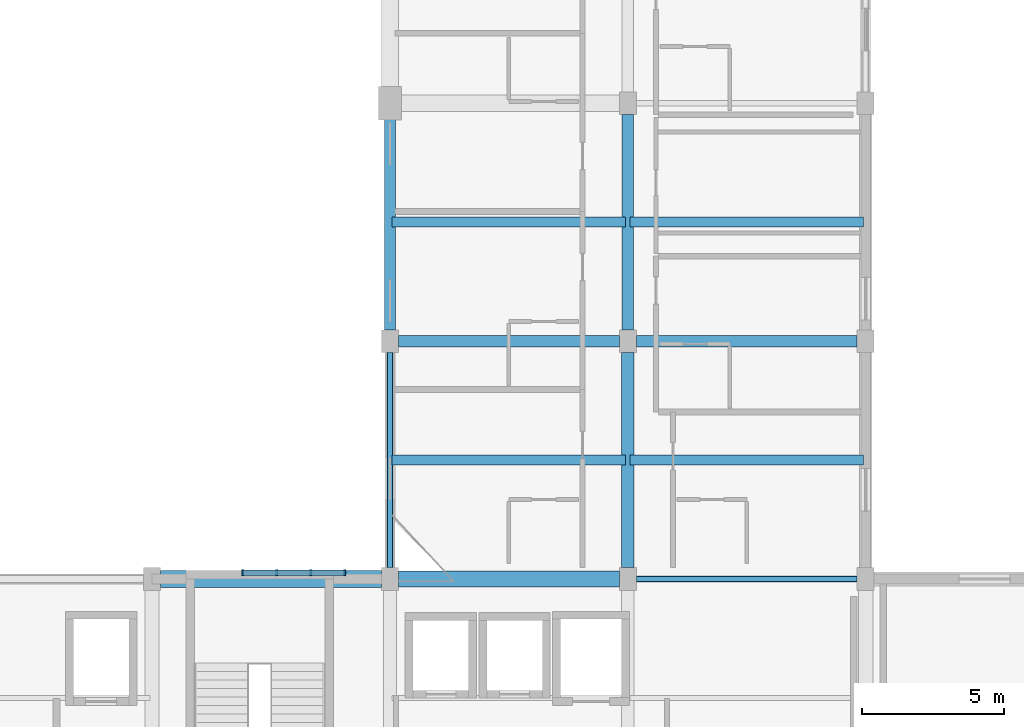
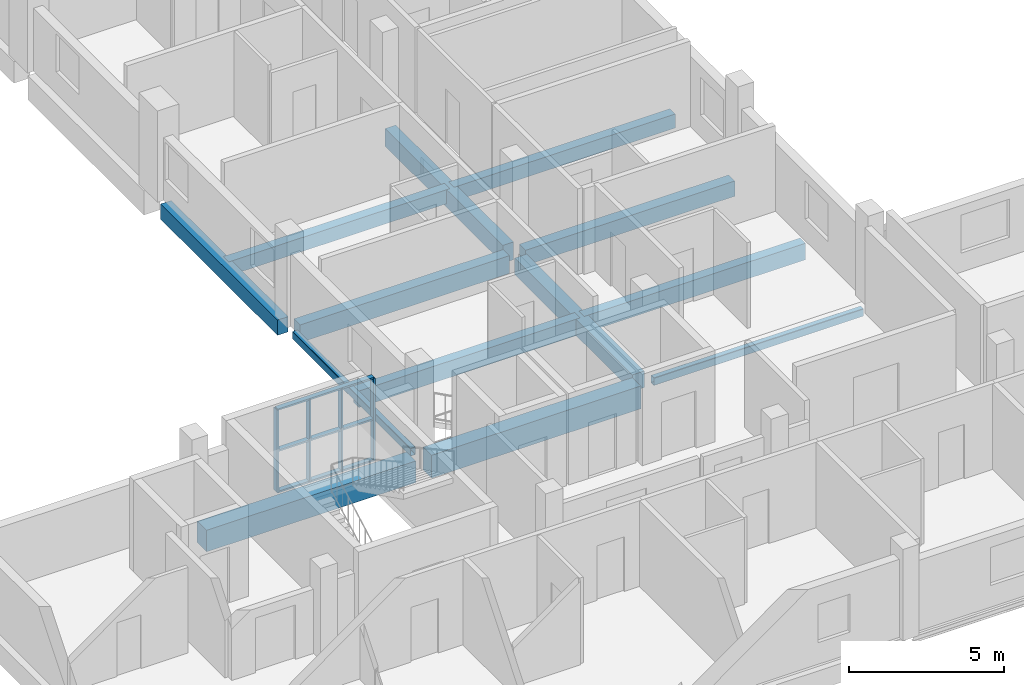
# One storey, part 2 of 26: 13 beams, 7 members, 1 element without a shape of its own.
"""IFC4 building model written with IfcOpenShell, lengths in metres."""

from ifc_helpers import new_model, si_unit, derived_unit, direction, frame, origin, origin_2d, place, context, subcontext, project, spatial, rectangle, hollow_rectangle, extrude, material, material_profile, profile_set, type_object, element, aggregate, save


model = new_model("IFC4")

# Units and contexts
model_context = context("Model", 3, precision=1e-05, world=origin(), true_north=direction((0.0, 1.0)))
body_context = subcontext(model_context, "Body", "Model", "MODEL_VIEW")
ifc_project = project(units=[si_unit("LENGTHUNIT", "METRE"), si_unit("AREAUNIT", "SQUARE_METRE"), si_unit("VOLUMEUNIT", "CUBIC_METRE"), si_unit("PLANEANGLEUNIT", "RADIAN"), si_unit("MASSUNIT", "GRAM", prefix="KILO"), derived_unit("THERMALTRANSMITTANCEUNIT", [(si_unit("POWERUNIT", "WATT"), 1), (si_unit("LENGTHUNIT", "METRE"), -2), (si_unit("THERMODYNAMICTEMPERATUREUNIT", "KELVIN"), -1)])], contexts=[model_context])

# Site, building, storey
site_placement = place(None, origin())
site = spatial("IfcSite", under=ifc_project, at=site_placement, CompositionType="ELEMENT")
building_placement = place(site_placement, origin())
building = spatial("IfcBuilding", under=site, at=building_placement, Name="Barrovel Congress Hotel", CompositionType="ELEMENT")
storey_placement = place(building_placement, frame((0.0, 0.0, 21.89990234375)))
storey = spatial("IfcBuildingStorey", under=building, at=storey_placement, Name="L05", CompositionType="ELEMENT", Elevation=21.89990234375)

# Beams
ifc_material_1 = material(Name="Concrete C40", Category="concrete")
ifc_material_profile_1 = material_profile(ifc_material_1, rectangle(XDim=0.35009765625, YDim=0.550048828125, at=origin_2d()), Name="RC350x550")
ifc_profile_set_1 = profile_set([ifc_material_profile_1], Name="Concrete C40")
beam_type_1 = type_object("IfcBeamType", Name="BM-RC350x550", PredefinedType="JOIST", material=ifc_profile_set_1)
for number, where, z_axis, x_axis, name in (
    (1, (33.679931640625, 33.60009765625, -0.494873046875), (1.0, 0.0, 0.0), (0.0, 1.0, 0.0), "JST:L05:33.6:33.6"),
    (2, (42.080078125, 33.60009765625, -0.494873046875), (1.0, 0.0, 0.0), (0.0, 1.0, 0.0), "JST:L05:42.0:33.6"),
):
    element("IfcBeam", number, at=place(storey_placement, frame(where, z_axis=z_axis, x_axis=x_axis)), inside=storey, type_object=beam_type_1, Name=name, PredefinedType="JOIST", context=body_context, shape_type="SweptSolid", body=[
        extrude(rectangle(XDim=0.35009765625, YDim=0.550048828125, at=origin_2d()), origin(), (0.0, 0.0, 1.0), 8.239990234375),
    ])
ifc_material_profile_2 = material_profile(ifc_material_1, rectangle(XDim=0.35009765625, YDim=0.64990234375, at=origin_2d()), Name="RC350x650")
ifc_profile_set_2 = profile_set([ifc_material_profile_2], Name="Concrete C40")
beam_type_2 = type_object("IfcBeamType", Name="BM-RC350x650", PredefinedType="JOIST", material=ifc_profile_set_2)
for number, where, z_axis, x_axis, name in (
    (3, (33.679931640625, 25.199951171875, -0.544921875), (1.0, 0.0, 0.0), (0.0, 1.0, 0.0), "JST:L05:33.6:25.2"),
    (4, (42.080078125, 25.199951171875, -0.544921875), (1.0, 0.0, 0.0), (0.0, 1.0, 0.0), "JST:L05:42.0:25.2"),
):
    element("IfcBeam", number, at=place(storey_placement, frame(where, z_axis=z_axis, x_axis=x_axis)), inside=storey, type_object=beam_type_2, Name=name, PredefinedType="JOIST", context=body_context, shape_type="SweptSolid", body=[
        extrude(rectangle(XDim=0.35009765625, YDim=0.64990234375, at=origin_2d()), origin(), (0.0, 0.0, 1.0), 8.239990234375),
    ])
ifc_material_profile_3 = material_profile(ifc_material_1, rectangle(XDim=0.39990234375, YDim=0.60009765625, at=origin_2d()), Name="RC400x600")
ifc_profile_set_3 = profile_set([ifc_material_profile_3], Name="Concrete C40")
beam_type_3 = type_object("IfcBeamType", Name="BM-RC400x600", PredefinedType="BEAM", material=ifc_profile_set_3)
beam_1_placement = place(storey_placement, frame((42.300048828125, 29.39990234375, -0.52001953125), z_axis=(1.0, 0.0, 0.0), x_axis=(0.0, 1.0, 0.0)))
element("IfcBeam", 5, at=beam_1_placement, inside=storey, type_object=beam_type_3, Name="BMX:L05:29.4:42.0-50.4", PredefinedType="BEAM", context=body_context, shape_type="SweptSolid", body=[
    extrude(rectangle(XDim=0.39990234375, YDim=0.60009765625, at=origin_2d()), origin(), (0.0, 0.0, 1.0), 7.800048828125),
])
beam_2_placement = place(storey_placement, frame((33.60009765625, 29.800048828125, -0.52001953125), z_axis=(0.0, 1.0, 0.0), x_axis=(-1.0, 0.0, 0.0)))
element("IfcBeam", 6, at=beam_2_placement, inside=storey, type_object=beam_type_3, Name="BMY:L05:33.6:29.4-37.8", PredefinedType="BEAM", context=body_context, shape_type="SweptSolid", body=[
    extrude(rectangle(XDim=0.39990234375, YDim=0.60009765625, at=origin_2d()), origin(), (0.0, 0.0, 1.0), 7.550048828125),
])
ifc_material_profile_4 = material_profile(ifc_material_1, rectangle(XDim=0.39990234375, YDim=0.699951171875, at=origin_2d()), Name="RC400x700")
ifc_profile_set_4 = profile_set([ifc_material_profile_4], Name="Concrete C40")
beam_type_4 = type_object("IfcBeamType", Name="BM-RC400x700", PredefinedType="BEAM", material=ifc_profile_set_4)
beam_3_placement = place(storey_placement, frame((33.89990234375, 29.39990234375, -0.56982421875), z_axis=(1.0, 0.0, 0.0), x_axis=(0.0, 1.0, 0.0)))
element("IfcBeam", 7, at=beam_3_placement, inside=storey, type_object=beam_type_4, Name="BMX:L05:29.4:33.6-42.0", PredefinedType="BEAM", context=body_context, shape_type="SweptSolid", body=[
    extrude(rectangle(XDim=0.39990234375, YDim=0.699951171875, at=origin_2d()), origin(), (0.0, 0.0, 1.0), 7.800048828125),
])
beam_4_placement = place(storey_placement, frame((42.0, 29.800048828125, -0.56982421875), z_axis=(0.0, 1.0, 0.0), x_axis=(-1.0, 0.0, 0.0)))
element("IfcBeam", 8, at=beam_4_placement, inside=storey, type_object=beam_type_4, Name="BMY:L05:42.0:29.4-37.8", PredefinedType="BEAM", context=body_context, shape_type="SweptSolid", body=[
    extrude(rectangle(XDim=0.39990234375, YDim=0.699951171875, at=origin_2d()), origin(), (0.0, 0.0, 1.0), 7.599853515625),
])
ifc_material_profile_5 = material_profile(ifc_material_1, rectangle(XDim=0.449951171875, YDim=0.64990234375, at=origin_2d()), Name="RC450x650")
ifc_profile_set_5 = profile_set([ifc_material_profile_5], Name="Concrete C40")
beam_type_5 = type_object("IfcBeamType", Name="BM-RC450x650", PredefinedType="BEAM", material=ifc_profile_set_5)
beam_5_placement = place(storey_placement, frame((42.0, 21.39990234375, -0.544921875), z_axis=(0.0, 1.0, 0.0), x_axis=(-1.0, 0.0, 0.0)))
element("IfcBeam", 9, at=beam_5_placement, inside=storey, type_object=beam_type_5, Name="BMY:L05:42.0:21.0-29.4", PredefinedType="BEAM", context=body_context, shape_type="SweptSolid", body=[
    extrude(rectangle(XDim=0.449951171875, YDim=0.64990234375, at=origin_2d()), origin(), (0.0, 0.0, 1.0), 7.60009765625),
])
ifc_material_profile_6 = material_profile(ifc_material_1, rectangle(XDim=0.550048828125, YDim=0.89990234375, at=origin_2d()), Name="RC550x900")
ifc_profile_set_6 = profile_set([ifc_material_profile_6], Name="Concrete C40")
beam_type_6 = type_object("IfcBeamType", Name="BM-RC550x900", PredefinedType="BEAM", material=ifc_profile_set_6)
beam_6_placement = place(storey_placement, frame((33.89990234375, 21.0, -0.669921875), z_axis=(1.0, 0.0, 0.0), x_axis=(0.0, 1.0, 0.0)))
element("IfcBeam", 10, at=beam_6_placement, inside=storey, type_object=beam_type_6, Name="BMX:L05:21.0:33.6-42.0", PredefinedType="BEAM", context=body_context, shape_type="SweptSolid", body=[
    extrude(rectangle(XDim=0.550048828125, YDim=0.89990234375, at=origin_2d()), origin(), (0.0, 0.0, 1.0), 7.800048828125),
])
ifc_material_profile_7 = material_profile(ifc_material_1, rectangle(XDim=0.60009765625, YDim=0.85009765625, at=origin_2d()), Name="RC600x850")
ifc_profile_set_7 = profile_set([ifc_material_profile_7], Name="Concrete C40")
beam_type_7 = type_object("IfcBeamType", Name="BM-RC600x850", PredefinedType="BEAM", material=ifc_profile_set_7)
beam_7_placement = place(storey_placement, frame((25.5, 21.0, -0.64501953125), z_axis=(1.0, 0.0, 0.0), x_axis=(0.0, 1.0, 0.0)))
element("IfcBeam", 11, at=beam_7_placement, inside=storey, type_object=beam_type_7, Name="BMX:L05:21.0:25.2-33.6", PredefinedType="BEAM", context=body_context, shape_type="SweptSolid", body=[
    extrude(rectangle(XDim=0.60009765625, YDim=0.85009765625, at=origin_2d()), origin(), (0.0, 0.0, 1.0), 7.800048828125),
])

# Curtain wall, members
ifc_material_2 = material(Name="Anodised Aluminium Alloy 6063-T6", Category="aluminium")
curtain_wall_type = type_object("IfcCurtainWallType", Name="CW-UN-3600x3200", PredefinedType="USERDEFINED", material=ifc_material_2)
curtain_wall_placement = place(storey_placement, origin())
curtain_wall = element("IfcCurtainWall", 12, at=curtain_wall_placement, inside=storey, type_object=curtain_wall_type, Name="CW:L05:UN-3", ObjectType="UNITISED CURTAIN WALL", PredefinedType="USERDEFINED")
ifc_material_profile_8 = material_profile(ifc_material_2, rectangle(XDim=0.06494140625, YDim=0.219970703125, at=origin_2d()), Name="AL-M65x220")
ifc_profile_set_8 = profile_set([ifc_material_profile_8], Name="Anodised Aluminium Alloy 6063-T6")
member_type_1 = type_object("IfcMemberType", Name="CWM-AL-M65x220", PredefinedType="MULLION", material=ifc_profile_set_8)
member_1_placement = place(storey_placement, frame((28.39990234375, 21.219970703125, 0.0), z_axis=(0.0, 0.0, 1.0), x_axis=(1.0, 0.0, 0.0)))
member_1 = element("IfcMember", 13, at=member_1_placement, type_object=member_type_1, Name="CW:L05:UN-3:M0", PredefinedType="MULLION", context=body_context, shape_type="SweptSolid", body=[
    extrude(rectangle(XDim=0.06494140625, YDim=0.219970703125, at=origin_2d()), origin(), (0.0, 0.0, 1.0), 3.25),
])
member_2_placement = place(storey_placement, frame((29.60009765625, 21.219970703125, 0.0), z_axis=(0.0, 0.0, 1.0), x_axis=(1.0, 0.0, 0.0)))
member_2 = element("IfcMember", 14, at=member_2_placement, type_object=member_type_1, Name="CW:L05:UN-3:M1", PredefinedType="MULLION", context=body_context, shape_type="SweptSolid", body=[
    extrude(rectangle(XDim=0.06494140625, YDim=0.219970703125, at=origin_2d()), origin(), (0.0, 0.0, 1.0), 3.25),
])
member_3_placement = place(storey_placement, frame((30.800048828125, 21.219970703125, 0.0), z_axis=(0.0, 0.0, 1.0), x_axis=(1.0, 0.0, 0.0)))
member_3 = element("IfcMember", 15, at=member_3_placement, type_object=member_type_1, Name="CW:L05:UN-3:M2", PredefinedType="MULLION", context=body_context, shape_type="SweptSolid", body=[
    extrude(rectangle(XDim=0.06494140625, YDim=0.219970703125, at=origin_2d()), origin(), (0.0, 0.0, 1.0), 3.25),
])
member_4_placement = place(storey_placement, frame((32.0, 21.219970703125, 0.0), z_axis=(0.0, 0.0, 1.0), x_axis=(1.0, 0.0, 0.0)))
member_4 = element("IfcMember", 16, at=member_4_placement, type_object=member_type_1, Name="CW:L05:UN-3:M3", PredefinedType="MULLION", context=body_context, shape_type="SweptSolid", body=[
    extrude(rectangle(XDim=0.06494140625, YDim=0.219970703125, at=origin_2d()), origin(), (0.0, 0.0, 1.0), 3.25),
])
ifc_material_profile_9 = material_profile(ifc_material_2, rectangle(XDim=0.179931640625, YDim=0.06494140625, at=origin_2d()), Name="AL-T65x180")
ifc_profile_set_9 = profile_set([ifc_material_profile_9], Name="Anodised Aluminium Alloy 6063-T6")
member_type_2 = type_object("IfcMemberType", Name="CWT-AL-T65x180", PredefinedType="USERDEFINED", material=ifc_profile_set_9)
member_5_placement = place(storey_placement, frame((28.39990234375, 21.219970703125, 0.0), z_axis=(1.0, 0.0, 0.0), x_axis=(0.0, 1.0, 0.0)))
member_5 = element("IfcMember", 17, at=member_5_placement, type_object=member_type_2, Name="CW:L05:UN-3:T0", ObjectType="TRANSOM", PredefinedType="USERDEFINED", context=body_context, shape_type="SweptSolid", body=[
    extrude(rectangle(XDim=0.179931640625, YDim=0.06494140625, at=origin_2d()), origin(), (0.0, 0.0, 1.0), 3.60009765625),
])
member_6_placement = place(storey_placement, frame((28.39990234375, 21.219970703125, 1.625), z_axis=(1.0, 0.0, 0.0), x_axis=(0.0, 1.0, 0.0)))
member_6 = element("IfcMember", 18, at=member_6_placement, type_object=member_type_2, Name="CW:L05:UN-3:T1", ObjectType="TRANSOM", PredefinedType="USERDEFINED", context=body_context, shape_type="SweptSolid", body=[
    extrude(rectangle(XDim=0.179931640625, YDim=0.06494140625, at=origin_2d()), origin(), (0.0, 0.0, 1.0), 3.60009765625),
])
member_7_placement = place(storey_placement, frame((28.39990234375, 21.219970703125, 3.25), z_axis=(1.0, 0.0, 0.0), x_axis=(0.0, 1.0, 0.0)))
member_7 = element("IfcMember", 19, at=member_7_placement, type_object=member_type_2, Name="CW:L05:UN-3:T2", ObjectType="TRANSOM", PredefinedType="USERDEFINED", context=body_context, shape_type="SweptSolid", body=[
    extrude(rectangle(XDim=0.179931640625, YDim=0.06494140625, at=origin_2d()), origin(), (0.0, 0.0, 1.0), 3.60009765625),
])
aggregate(curtain_wall, [member_1, member_2, member_3, member_4, member_5, member_6, member_7])

# Beams
ifc_material_3 = material(Name="Steel ASTM A500 Grade C", Category="steel")
ifc_material_profile_10 = material_profile(ifc_material_3, hollow_rectangle(XDim=0.203125, YDim=0.3046875, WallThickness=0.01171875, InnerFilletRadius=0.01171875, OuterFilletRadius=0.023681640625, at=origin_2d()), Name="HSS305x203x12.7")
ifc_profile_set_10 = profile_set([ifc_material_profile_10], Name="Steel ASTM A500 Grade C")
beam_type_8 = type_object("IfcBeamType", Name="SBM-HSS305x203x12.7", PredefinedType="SPANDREL", material=ifc_profile_set_10)
beam_8_placement = place(storey_placement, frame((42.300048828125, 21.0, -0.372314453125), z_axis=(1.0, 0.0, 0.0), x_axis=(0.0, 1.0, 0.0)))
element("IfcBeam", 20, at=beam_8_placement, inside=storey, type_object=beam_type_8, Name="BMX:L05:21.0:42.0-50.4", PredefinedType="SPANDREL", context=body_context, shape_type="SweptSolid", body=[
    extrude(hollow_rectangle(XDim=0.203125, YDim=0.3046875, WallThickness=0.01171875, InnerFilletRadius=0.01171875, OuterFilletRadius=0.023681640625, at=origin_2d()), origin(), (0.0, 0.0, 1.0), 7.800048828125),
])
beam_9_placement = place(storey_placement, frame((33.60009765625, 21.39990234375, -0.372314453125), z_axis=(0.0, 1.0, 0.0), x_axis=(-1.0, 0.0, 0.0)))
element("IfcBeam", 21, at=beam_9_placement, inside=storey, type_object=beam_type_8, Name="BMY:L05:33.6:21.0-29.4", PredefinedType="SPANDREL", context=body_context, shape_type="SweptSolid", body=[
    extrude(hollow_rectangle(XDim=0.203125, YDim=0.3046875, WallThickness=0.01171875, InnerFilletRadius=0.01171875, OuterFilletRadius=0.023681640625, at=origin_2d()), origin(), (0.0, 0.0, 1.0), 7.60009765625),
])

save(model, "model.ifc")
